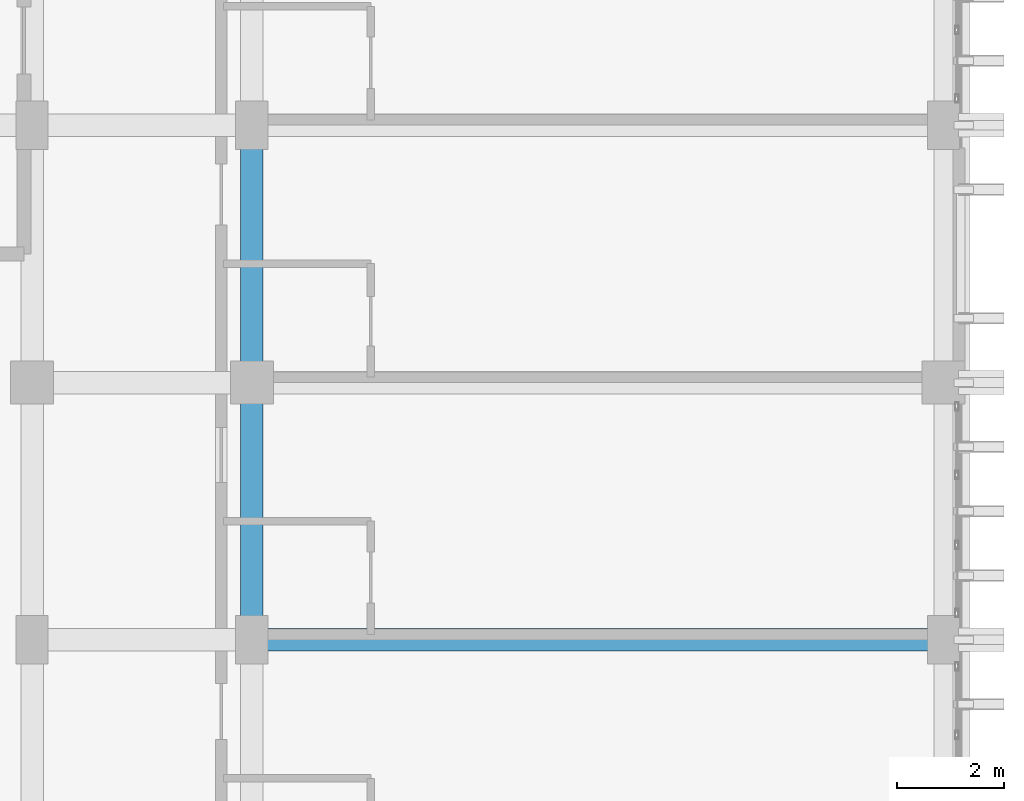
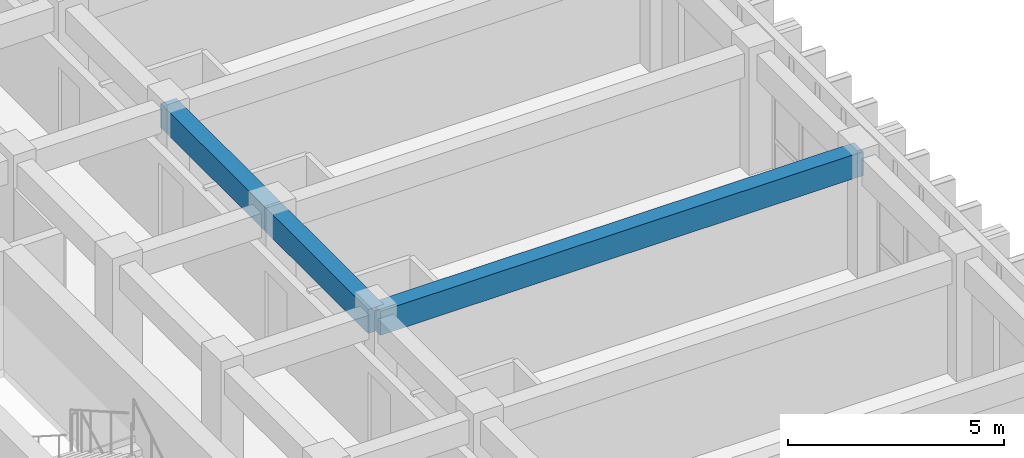
# One storey, part 34 of 82: 3 beams.
"""IFC4 building model written with IfcOpenShell, lengths in metres."""

from ifc_helpers import new_model, si_unit, direction, frame, origin, origin_2d, place, context, subcontext, project, spatial, rectangle, extrude, material, material_profile, profile_set, type_object, element, save


model = new_model("IFC4")

# Units and contexts
model_context = context("Model", 3, precision=1e-05, world=origin(), true_north=direction((0.0, 1.0)))
body_context = subcontext(model_context, "Body", "Model", "MODEL_VIEW")
ifc_project = project(units=[si_unit("LENGTHUNIT", "METRE"), si_unit("AREAUNIT", "SQUARE_METRE"), si_unit("VOLUMEUNIT", "CUBIC_METRE"), si_unit("PLANEANGLEUNIT", "RADIAN"), si_unit("MASSUNIT", "GRAM", prefix="KILO")], contexts=[model_context])

# Site, building, storey
site_placement = place(None, origin())
site = spatial("IfcSite", under=ifc_project, at=site_placement, CompositionType="ELEMENT")
building_placement = place(site_placement, origin())
building = spatial("IfcBuilding", under=site, at=building_placement, Name="Nakhvara Creek Congress Hotel", CompositionType="ELEMENT")
storey_placement = place(building_placement, frame((0.0, 0.0, 21.0)))
storey = spatial("IfcBuildingStorey", under=building, at=storey_placement, Name="L04", CompositionType="ELEMENT", Elevation=21.0)

# Beams
ifc_material = material(Name="Concrete C40/50", Category="concrete")
ifc_material_profile = material_profile(ifc_material, rectangle(XDim=0.419921875, YDim=0.679931640625, at=origin_2d()), Name="RC-BM 420x680", Category="LoadBearing")
ifc_profile_set = profile_set([ifc_material_profile], Name="Concrete C40/50")
beam_type = type_object("IfcBeamType", Name="BM-RC-420X680", PredefinedType="BEAM", material=ifc_profile_set)
beam_1_placement = place(storey_placement, frame((166.449951171875, 81.60009765625, 3.0), z_axis=(0.0, 1.0, 0.0), x_axis=(-1.0, 0.0, 0.0)))
element("IfcBeam", 1, at=beam_1_placement, inside=storey, type_object=beam_type, Name="Beam B11-L04-1994", PredefinedType="BEAM", context=body_context, shape_type="SweptSolid", body=[
    extrude(rectangle(XDim=0.419921875, YDim=0.679931640625, at=origin_2d()), origin(), (0.0, 0.0, 1.0), 4.7998046875),
])
beam_2_placement = place(storey_placement, frame((166.449951171875, 86.39990234375, 3.0), z_axis=(0.0, 1.0, 0.0), x_axis=(-1.0, 0.0, 0.0)))
element("IfcBeam", 2, at=beam_2_placement, inside=storey, type_object=beam_type, Name="Beam B11-L04-1995", PredefinedType="BEAM", context=body_context, shape_type="SweptSolid", body=[
    extrude(rectangle(XDim=0.419921875, YDim=0.679931640625, at=origin_2d()), origin(), (0.0, 0.0, 1.0), 4.800048828125),
])
beam_3_placement = place(storey_placement, frame((166.449951171875, 81.60009765625, 3.0), z_axis=(1.0, 0.0, 0.0), x_axis=(0.0, 1.0, 0.0)))
element("IfcBeam", 3, at=beam_3_placement, inside=storey, type_object=beam_type, Name="Beam B11-L04-2053", PredefinedType="BEAM", context=body_context, shape_type="SweptSolid", body=[
    extrude(rectangle(XDim=0.419921875, YDim=0.679931640625, at=origin_2d()), origin(), (0.0, 0.0, 1.0), 12.900146484375),
])

save(model, "model.ifc")
